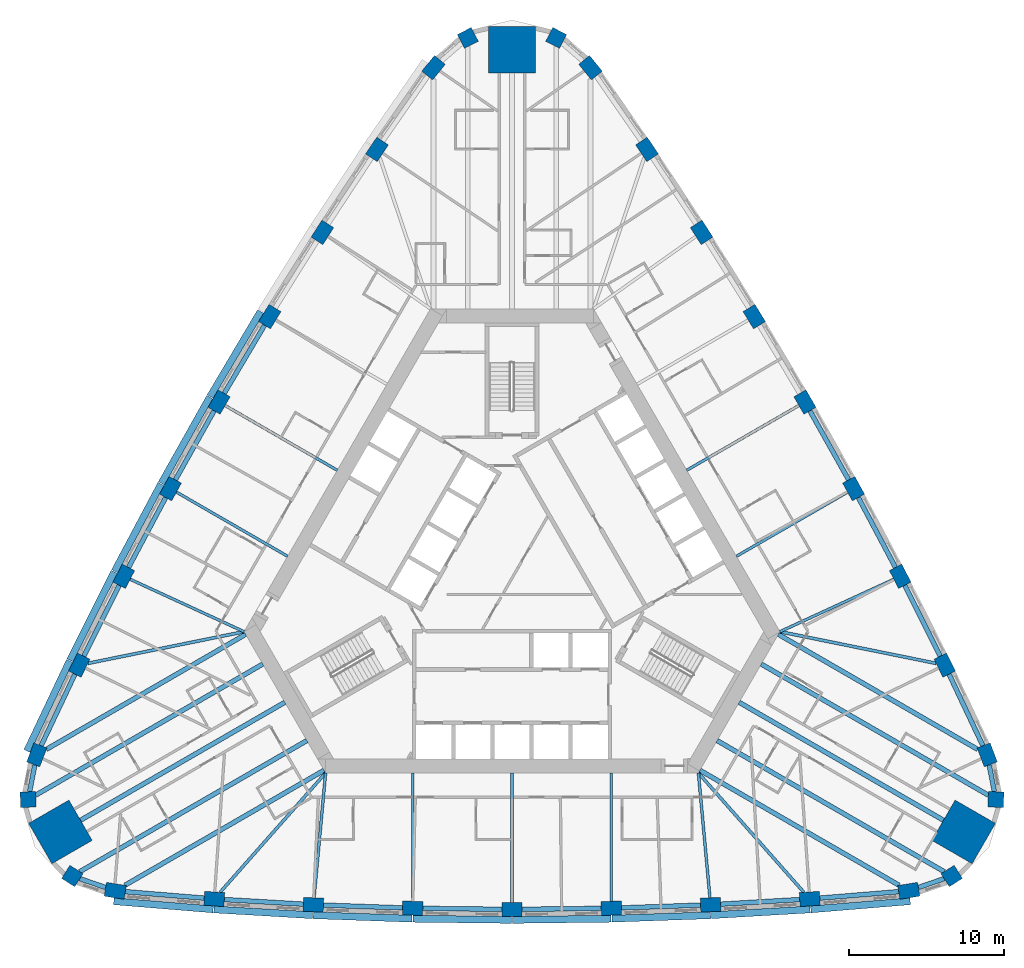
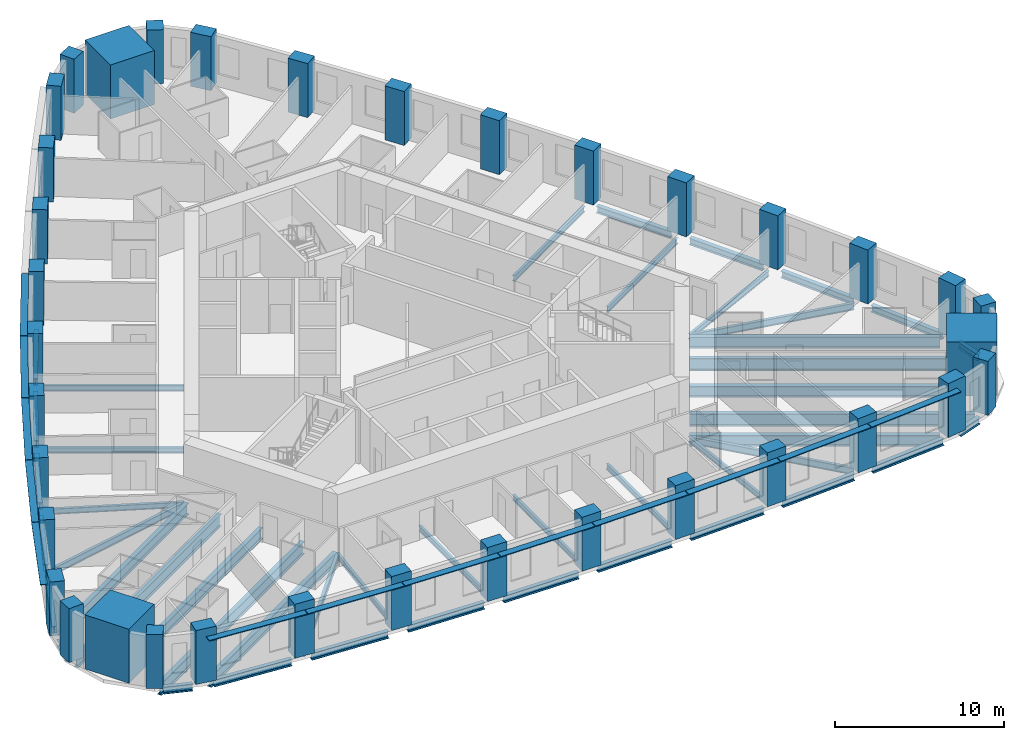
# One storey, part 1 of 13: 46 beams, 36 columns, 13 members.
"""IFC4 building model written with IfcOpenShell, lengths in metres."""

import ifcopenshell
import ifcopenshell.guid

model = None  # the IFC model being written
_history = None  # IfcOwnerHistory: only IFC2X3 demands one
_inside = {}  # id of a spatial element -> (the spatial element, [elements in it])
_under = {}  # id of a project, library or spatial element -> (it, [spatial elements below it])
_declared = {}  # id of a project -> (the project, [libraries it declares])
_typed = {}  # id of a type object -> (the type object, [elements of that type])
_made_of = {}  # id of a material, layer set ... -> (it, [elements and type objects made of it])


def new_model(schema):
    """Start an empty IFC model of exactly this schema.

    Asked for "IFC4X3", IfcOpenShell would pick the latest addendum, in which some entities
    have other attributes; the version numbers below select the first issue.
    IFC2X3 requires an IfcOwnerHistory on every rooted entity: one is made here for all.
    """
    global model, _history
    if schema == "IFC4X3":
        model = ifcopenshell.file(schema_version=(4, 3, 0, 0))
    else:
        model = ifcopenshell.file(schema=schema)
    _inside.clear()
    _under.clear()
    _declared.clear()
    _typed.clear()
    _made_of.clear()
    _history = None
    if model.schema == "IFC2X3":
        org = make("IfcOrganization", Name="unknown")
        user = make(
            "IfcPersonAndOrganization",
            ThePerson=make("IfcPerson", FamilyName="unknown"),
            TheOrganization=org,
        )
        app = make(
            "IfcApplication",
            ApplicationDeveloper=org,
            Version="unknown",
            ApplicationFullName="unknown",
            ApplicationIdentifier="unknown",
        )
        _history = make(
            "IfcOwnerHistory",
            OwningUser=user,
            OwningApplication=app,
            ChangeAction="ADDED",
            CreationDate=0,
        )
    return model


def make(cls, **values):
    """One entity of the class cls with the attributes given. An attribute that is None is left unset."""
    return model.create_entity(
        cls, **{name: value for name, value in values.items() if value is not None}
    )


def rooted(cls, **values):
    """An entity with a GlobalId (a new one), such as an element, a storey or a relation."""
    return make(cls, GlobalId=ifcopenshell.guid.new(), OwnerHistory=_history, **values)


def si_unit(unit_type, name, prefix=None):
    """IfcSIUnit, for example si_unit("LENGTHUNIT", "METRE", prefix="MILLI")."""
    return make("IfcSIUnit", UnitType=unit_type, Prefix=prefix, Name=name)


def assignment(units):
    """IfcUnitAssignment: the units of a project."""
    return None if units is None else make("IfcUnitAssignment", Units=units)


def point(xyz):
    """IfcCartesianPoint."""
    return None if xyz is None else make("IfcCartesianPoint", Coordinates=xyz)


def direction(xyz):
    """IfcDirection."""
    return None if xyz is None else make("IfcDirection", DirectionRatios=xyz)


def frame(location, z_axis=None, x_axis=None):
    """IfcAxis2Placement3D, a coordinate frame: its origin and axes. An axis left out is left unset."""
    return make(
        "IfcAxis2Placement3D",
        Location=point(location),
        Axis=direction(z_axis),
        RefDirection=direction(x_axis),
    )


def frame_2d(location, x_axis=None):
    """IfcAxis2Placement2D, a coordinate frame in the plane: its origin and x axis."""
    return make(
        "IfcAxis2Placement2D", Location=point(location), RefDirection=direction(x_axis)
    )


def origin():
    """The frame at (0, 0, 0) with its axes left unset."""
    return frame((0.0, 0.0, 0.0))


def origin_2d():
    """The frame at (0, 0) in the plane with its x axis left unset."""
    return frame_2d((0.0, 0.0))


def place(relative_to, where):
    """IfcLocalPlacement: puts the frame where relative to a parent placement (None: the world)."""
    return make(
        "IfcLocalPlacement", PlacementRelTo=relative_to, RelativePlacement=where
    )


def context(
    kind, dimensions, precision=None, world=None, true_north=None, identifier=None
):
    """IfcGeometricRepresentationContext, for example the 3D "Model" context."""
    return make(
        "IfcGeometricRepresentationContext",
        ContextIdentifier=identifier,
        ContextType=kind,
        CoordinateSpaceDimension=dimensions,
        Precision=precision,
        WorldCoordinateSystem=world,
        TrueNorth=true_north,
    )


def subcontext(parent, identifier, kind, view, scale=None):
    """IfcGeometricRepresentationSubContext, for example "Body" below "Model"."""
    return make(
        "IfcGeometricRepresentationSubContext",
        ContextIdentifier=identifier,
        ContextType=kind,
        ParentContext=parent,
        TargetScale=scale,
        TargetView=view,
    )


def project(units=None, contexts=None):
    """IfcProject with its units and contexts."""
    return rooted(
        "IfcProject",
        Name="project",
        RepresentationContexts=contexts,
        UnitsInContext=assignment(units),
    )


def spatial(cls, under=None, at=None, **own):
    """A site, building, storey or space (cls), placed at a placement, below another one or the project."""
    s = rooted(cls, ObjectPlacement=at, **own)
    if under is not None:
        _under.setdefault(under.id(), (under, []))[1].append(s)
    return s


def profile(cls, at=None, kind="AREA", **sizes):
    """A parametric profile (cls). Its sizes go by their IFC names, for example OverallWidth=200.0."""
    return make(cls, ProfileType=kind, Position=at, **sizes)


def rectangle(**sizes):
    """IfcRectangleProfileDef."""
    return profile("IfcRectangleProfileDef", **sizes)


def i_section(**sizes):
    """IfcIShapeProfileDef."""
    return profile("IfcIShapeProfileDef", **sizes)


def extrude(swept, where, along, depth):
    """IfcExtrudedAreaSolid: the profile swept, set in the frame where, extruded along a direction by depth."""
    return make(
        "IfcExtrudedAreaSolid",
        SweptArea=swept,
        Position=where,
        ExtrudedDirection=direction(along),
        Depth=depth,
    )


def shape(context_of_items, identifier, shape_type, items):
    """IfcShapeRepresentation: the items that make up one representation, for example the "Body"."""
    return make(
        "IfcShapeRepresentation",
        ContextOfItems=context_of_items,
        RepresentationIdentifier=identifier,
        RepresentationType=shape_type,
        Items=items,
    )


def material(Name=None, Category=None):
    """IfcMaterial."""
    return make("IfcMaterial", Name=Name, Category=Category)


def material_profile(
    of_material, cross_section, Name=None, Category=None, Priority=None
):
    """IfcMaterialProfile: a cross section and its material."""
    return make(
        "IfcMaterialProfile",
        Name=Name,
        Material=of_material,
        Profile=cross_section,
        Priority=Priority,
        Category=Category,
    )


def profile_set(profiles, Name=None, composite=None):
    """IfcMaterialProfileSet."""
    return make(
        "IfcMaterialProfileSet",
        Name=Name,
        MaterialProfiles=profiles,
        CompositeProfile=composite,
    )


def made_of(thing, what):
    """Note that an element or type object is made of a material, layer set ...; save() writes the relation."""
    if what is not None:
        _made_of.setdefault(what.id(), (what, []))[1].append(thing)
    return thing


def type_object(cls, material=None, **own):
    """A type object (cls), such as IfcWallType, which elements share."""
    return made_of(rooted(cls, **own), material)


def element(
    cls,
    number,
    at=None,
    inside=None,
    cuts=None,
    type_object=None,
    material=None,
    context=None,
    identifier="Body",
    shape_type=None,
    held_by="IfcProductDefinitionShape",
    body=None,
    shapes=None,
    **own,
):
    """One element of the class cls, such as IfcWall. Its Tag is "e" and its number.

    at: its placement. inside: the storey or other place that contains it. cuts: it is an
    opening in that element (IfcRelVoidsElement). A single representation is given by context,
    identifier, shape_type and body (its items); several are given by shapes. held_by: the class
    of the entity that holds the representations. save() writes the other relations.
    """
    e = rooted(cls, Tag="e%d" % number, ObjectPlacement=at, **own)
    if body is not None:
        shapes = [shape(context, identifier, shape_type, body)]
    if shapes is not None:
        e.Representation = make(held_by, Representations=shapes)
    if inside is not None:
        _inside.setdefault(inside.id(), (inside, []))[1].append(e)
    if cuts is not None:
        rooted(
            "IfcRelVoidsElement", RelatingBuildingElement=cuts, RelatedOpeningElement=e
        )
    if type_object is not None:
        _typed.setdefault(type_object.id(), (type_object, []))[1].append(e)
    return made_of(e, material)


def aggregate(whole, parts):
    """IfcRelAggregates: a whole, such as a stair, and the parts it consists of."""
    return rooted("IfcRelAggregates", RelatingObject=whole, RelatedObjects=parts)


def save(model, path):
    """Write the relations noted so far, then the file.

    IfcRelAggregates (storeys below a building ...), IfcRelContainedInSpatialStructure (elements
    in a storey), IfcRelDefinesByType, IfcRelAssociatesMaterial and IfcRelDeclares: one each for
    every whole, place, type object, material and project.
    """
    for whole, parts in _under.values():
        aggregate(whole, parts)
    for where, things in _inside.values():
        rooted(
            "IfcRelContainedInSpatialStructure",
            RelatedElements=things,
            RelatingStructure=where,
        )
    for kind, things in _typed.values():
        rooted("IfcRelDefinesByType", RelatedObjects=things, RelatingType=kind)
    for what, things in _made_of.values():
        rooted("IfcRelAssociatesMaterial", RelatedObjects=things, RelatingMaterial=what)
    for by, libraries in _declared.values():
        rooted("IfcRelDeclares", RelatingContext=by, RelatedDefinitions=libraries)
    model.write(path)


model = new_model("IFC4")

# Units and contexts
model_context = context("Model", 3, precision=1e-05, world=origin(), true_north=direction((0.0, 1.0)))
body_context = subcontext(model_context, "Body", "Model", "MODEL_VIEW")
ifc_project = project(units=[si_unit("LENGTHUNIT", "METRE"), si_unit("AREAUNIT", "SQUARE_METRE"), si_unit("VOLUMEUNIT", "CUBIC_METRE"), si_unit("PLANEANGLEUNIT", "RADIAN"), si_unit("MASSUNIT", "GRAM", prefix="KILO")], contexts=[model_context])

# Site, building, storey
site_placement = place(None, origin())
site = spatial("IfcSite", under=ifc_project, at=site_placement, CompositionType="ELEMENT")
building_placement = place(site_placement, origin())
building = spatial("IfcBuilding", under=site, at=building_placement, Name="Mestral Congress Tower", CompositionType="ELEMENT")
storey_placement = place(building_placement, frame((0.0, 0.0, 91.5)))
storey = spatial("IfcBuildingStorey", under=building, at=storey_placement, Name="L21", CompositionType="ELEMENT", Elevation=91.5)

# Columns
ifc_material_1 = material(Name="Concrete C70/85", Category="concrete")
ifc_material_profile_1 = material_profile(ifc_material_1, rectangle(XDim=1.0, YDim=1.0, at=origin_2d()), Name="RC 1000x1000")
ifc_profile_set_1 = profile_set([ifc_material_profile_1], Name="Concrete C70/85")
column_type_1 = type_object("IfcColumnType", Name="Column RC 1000x1000 C70/85", PredefinedType="COLUMN", material=ifc_profile_set_1)
for number, where, z_axis, x_axis, name in (
    (1, (28.331298828125, -19.642822265625, 0.0), (0.0, 0.0, 1.0), (0.841700252504, 0.53994507585, 0.0), "COL-L21-C2-SE1"),
    (2, (31.1767578125, -14.714111328125, 0.0), (0.0, 0.0, 1.0), (0.046756026083, 0.998906338965, 0.0), "COL-L21-C2-SE3"),
    (3, (2.845703125, 34.35693359375, 0.0), (0.0, 0.0, 1.0), (-0.888456278587, 0.458961263115, 0.0), "COL-L21-C2-N1"),
    (4, (-2.845703125, 34.35693359375, 0.0), (0.0, 0.0, 1.0), (-0.888456278587, -0.458961263115, 0.0), "COL-L21-C2-N3"),
    (5, (-31.1767578125, -14.714111328125, 0.0), (0.0, 0.0, 1.0), (0.046756026083, -0.998906338965, 0.0), "COL-L21-C2-SW1"),
    (6, (-28.331298828125, -19.642822265625, 0.0), (0.0, 0.0, 1.0), (0.841700252504, -0.53994507585, 0.0), "COL-L21-C2-SW3"),
):
    element("IfcColumn", number, at=place(storey_placement, frame(where, z_axis=z_axis, x_axis=x_axis)), inside=storey, type_object=column_type_1, Name=name, PredefinedType="COLUMN", context=body_context, shape_type="SweptSolid", body=[
        extrude(rectangle(XDim=1.0, YDim=1.0, at=origin_2d()), origin(), (0.0, 0.0, 1.0), 3.89990234375),
    ])
ifc_material_profile_2 = material_profile(ifc_material_1, rectangle(XDim=1.300048828125, YDim=0.89990234375, at=origin_2d()), Name="RC 1300x900")
ifc_profile_set_2 = profile_set([ifc_material_profile_2], Name="Concrete C70/85")
column_type_2 = type_object("IfcColumnType", Name="Column RC 1300x900 C70/85", PredefinedType="COLUMN", material=ifc_profile_set_2)
for number, where, z_axis, x_axis, name in (
    (7, (-25.562744140625, -20.59716796875, 0.0), (0.0, 0.0, 1.0), (0.987202314361, -0.159472851987, 0.0), "COL-L21-C2-S00"),
    (8, (-19.184326171875, -21.120361328125, 0.0), (0.0, 0.0, 1.0), (0.997539884588, -0.07010120296, 0.0), "COL-L21-C2-S01"),
    (9, (-12.79541015625, -21.494384765625, 0.0), (0.0, 0.0, 1.0), (0.998906338965, -0.046756026083, 0.0), "COL-L21-C2-S02"),
    (10, (-6.3994140625, -21.71875, 0.0), (0.0, 0.0, 1.0), (0.99972656776, -0.023383535144, 0.0), "COL-L21-C2-S03"),
    (11, (0.0, -21.793701171875, 0.0), (0.0, 0.0, 1.0), (1.0, 0.0, 0.0), "COL-L21-C2-S04"),
    (12, (6.3994140625, -21.71875, 0.0), (0.0, 0.0, 1.0), (0.99972656776, 0.023383535144, 0.0), "COL-L21-C2-S05"),
    (13, (12.79541015625, -21.494384765625, 0.0), (0.0, 0.0, 1.0), (0.998906338965, 0.046756026083, 0.0), "COL-L21-C2-S06"),
    (14, (19.184326171875, -21.120361328125, 0.0), (0.0, 0.0, 1.0), (0.997539884588, 0.07010120296, 0.0), "COL-L21-C2-S07"),
    (15, (25.562744140625, -20.59716796875, 0.0), (0.0, 0.0, 1.0), (0.987202314361, 0.159472851987, 0.0), "COL-L21-C2-S08"),
    (16, (30.618896484375, -11.83935546875, 0.0), (0.0, 0.0, 1.0), (-0.355493616145, 0.934678708905, 0.0), "COL-L21-C2-E00"),
    (17, (27.8828125, -6.0537109375, 0.0), (0.0, 0.0, 1.0), (-0.438060519695, 0.898945482821, 0.0), "COL-L21-C2-E01"),
    (18, (25.01220703125, -0.333984375, 0.0), (0.0, 0.0, 1.0), (-0.458961263115, 0.888456278587, 0.0), "COL-L21-C2-E02"),
    (19, (22.0087890625, 5.3173828125, 0.0), (0.0, 0.0, 1.0), (-0.479612548415, 0.87748037209, 0.0), "COL-L21-C2-E03"),
    (20, (18.873779296875, 10.896728515625, 0.0), (0.0, 0.0, 1.0), (-0.5, 0.866025403784, 0.0), "COL-L21-C2-E04"),
    (21, (15.609375, 16.401611328125, 0.0), (0.0, 0.0, 1.0), (-0.520114019344, 0.854096836946, 0.0), "COL-L21-C2-E05"),
    (22, (12.217041015625, 21.828369140625, 0.0), (0.0, 0.0, 1.0), (-0.53994507585, 0.841700252504, 0.0), "COL-L21-C2-E06"),
    (23, (8.69873046875, 27.17431640625, 0.0), (0.0, 0.0, 1.0), (-0.559479364893, 0.828844279861, 0.0), "COL-L21-C2-E07"),
    (24, (5.056396484375, 32.4365234375, 0.0), (0.0, 0.0, 1.0), (-0.631708698215, 0.775205856918, 0.0), "COL-L21-C2-E08"),
    (25, (-5.056396484375, 32.4365234375, 0.0), (0.0, 0.0, 1.0), (-0.631708698215, -0.775205856918, 0.0), "COL-L21-C2-W00"),
    (26, (-8.69873046875, 27.17431640625, 0.0), (0.0, 0.0, 1.0), (-0.559479364893, -0.828844279861, 0.0), "COL-L21-C2-W01"),
    (27, (-12.217041015625, 21.828369140625, 0.0), (0.0, 0.0, 1.0), (-0.53994507585, -0.841700252504, 0.0), "COL-L21-C2-W02"),
    (28, (-15.609375, 16.401611328125, 0.0), (0.0, 0.0, 1.0), (-0.520114019344, -0.854096836946, 0.0), "COL-L21-C2-W03"),
    (29, (-18.873779296875, 10.896728515625, 0.0), (0.0, 0.0, 1.0), (-0.5, -0.866025403784, 0.0), "COL-L21-C2-W04"),
    (30, (-22.0087890625, 5.3173828125, 0.0), (0.0, 0.0, 1.0), (-0.479612548415, -0.87748037209, 0.0), "COL-L21-C2-W05"),
    (31, (-25.01220703125, -0.333984375, 0.0), (0.0, 0.0, 1.0), (-0.458961263115, -0.888456278587, 0.0), "COL-L21-C2-W06"),
    (32, (-27.8828125, -6.0537109375, 0.0), (0.0, 0.0, 1.0), (-0.438060519695, -0.898945482821, 0.0), "COL-L21-C2-W07"),
    (33, (-30.618896484375, -11.83935546875, 0.0), (0.0, 0.0, 1.0), (-0.355493616145, -0.934678708905, 0.0), "COL-L21-C2-W08"),
):
    element("IfcColumn", number, at=place(storey_placement, frame(where, z_axis=z_axis, x_axis=x_axis)), inside=storey, type_object=column_type_2, Name=name, PredefinedType="COLUMN", context=body_context, shape_type="SweptSolid", body=[
        extrude(rectangle(XDim=1.300048828125, YDim=0.89990234375, at=origin_2d()), origin(), (0.0, 0.0, 1.0), 3.89990234375),
    ])
ifc_material_2 = material(Name="Concrete C80/95", Category="concrete")
ifc_material_profile_3 = material_profile(ifc_material_2, rectangle(XDim=3.0, YDim=3.0, at=origin_2d()), Name="RC 3000x3000")
ifc_profile_set_3 = profile_set([ifc_material_profile_3], Name="Concrete C80/95")
column_type_3 = type_object("IfcColumnType", Name="Mega column RC 3000x3000 C80/95", PredefinedType="COLUMN", material=ifc_profile_set_3)
for number, where, z_axis, x_axis, name in (
    (34, (29.09716796875, -16.79931640625, 0.0), (0.0, 0.0, 1.0), (0.866025403784, -0.5, 0.0), "COL-L21-PY2-SE"),
    (35, (0.0, 33.598388671875, 0.0), (0.0, 0.0, 1.0), (0.0, 1.0, 0.0), "COL-L21-PY2-N"),
    (36, (-29.09716796875, -16.79931640625, 0.0), (0.0, 0.0, 1.0), (-0.866025403784, -0.5, 0.0), "COL-L21-PY2-SW"),
):
    element("IfcColumn", number, at=place(storey_placement, frame(where, z_axis=z_axis, x_axis=x_axis)), inside=storey, type_object=column_type_3, Name=name, PredefinedType="COLUMN", context=body_context, shape_type="SweptSolid", body=[
        extrude(rectangle(XDim=3.0, YDim=3.0, at=origin_2d()), origin(), (0.0, 0.0, 1.0), 3.89990234375),
    ])

# Members
ifc_material_3 = material(Name="Glazed ceramic", Category="masonry")
ifc_material_profile_4 = material_profile(ifc_material_3, rectangle(XDim=0.449951171875, YDim=0.06005859375, at=origin_2d()), Name="Ceramic blade 450 x 60")
ifc_profile_set_4 = profile_set([ifc_material_profile_4], Name="Glazed ceramic")
member_type = type_object("IfcMemberType", Name="Facade sunshade blade 450 x 60", PredefinedType="USERDEFINED", material=ifc_profile_set_4)
member_1_placement = place(storey_placement, frame((-25.654296875, -21.266845703125, 3.280029296875), z_axis=(0.996650616323, -0.081777435656, 0.0), x_axis=(0.081777435656, 0.996650616323, 0.0)))
element("IfcMember", 37, at=member_1_placement, inside=storey, type_object=member_type, Name="Sunshade F0-00", ObjectType="SUNSHADE", PredefinedType="USERDEFINED", context=body_context, shape_type="SweptSolid", body=[
    extrude(rectangle(XDim=0.449951171875, YDim=0.06005859375, at=origin_2d()), origin(), (0.0, 0.0, 1.0), 6.421630859375),
])
for number, where, z_axis, x_axis, name in (
    (38, (-19.208984375, -21.795166015625, 3.280029296875), (0.998292825409, -0.05840748871, 0.0), (0.05840748871, 0.998292825409, 0.0), "Sunshade F0-01"),
    (39, (-12.80419921875, -22.16943359375, 3.280029296875), (0.999384970229, -0.035066811664, 0.0), (0.035066811664, 0.999384970229, 0.0), "Sunshade F0-02"),
    (40, (-6.392578125, -22.393798828125, 3.280029296875), (0.999931231966, -0.011727375608, 0.0), (0.011727375608, 0.999931231966, 0.0), "Sunshade F0-03"),
    (41, (0.022705078125, -22.468505859375, 3.280029296875), (0.999931231966, 0.011727375608, 0.0), (-0.011727375608, 0.999931231966, 0.0), "Sunshade F0-04"),
    (42, (6.437744140625, -22.392822265625, 3.280029296875), (0.999384970229, 0.035066811664, 0.0), (-0.035066811664, 0.999384970229, 0.0), "Sunshade F0-05"),
    (43, (12.849609375, -22.167236328125, 3.280029296875), (0.998292825409, 0.05840748871, 0.0), (-0.05840748871, 0.998292825409, 0.0), "Sunshade F0-06"),
):
    element("IfcMember", number, at=place(storey_placement, frame(where, z_axis=z_axis, x_axis=x_axis)), inside=storey, type_object=member_type, Name=name, ObjectType="SUNSHADE", PredefinedType="USERDEFINED", context=body_context, shape_type="SweptSolid", body=[
        extrude(rectangle(XDim=0.449951171875, YDim=0.06005859375, at=origin_2d()), origin(), (0.0, 0.0, 1.0), 6.370361328125),
    ])
member_2_placement = place(storey_placement, frame((19.254150390625, -21.7919921875, 3.280029296875), z_axis=(0.996650616323, 0.081777435656, 0.0), x_axis=(-0.081777435656, 0.996650616323, 0.0)))
element("IfcMember", 44, at=member_2_placement, inside=storey, type_object=member_type, Name="Sunshade F0-07", ObjectType="SUNSHADE", PredefinedType="USERDEFINED", context=body_context, shape_type="SweptSolid", body=[
    extrude(rectangle(XDim=0.449951171875, YDim=0.06005859375, at=origin_2d()), origin(), (0.0, 0.0, 1.0), 6.421630859375),
])
for number, where, z_axis, x_axis, name in (
    (45, (-16.197509765625, 16.733154296875, 3.280029296875), (-0.510098606231, -0.86011592935, 0.0), (0.86011592935, -0.510098606231, 0.0), "Sunshade F2-03"),
    (46, (-19.469482421875, 11.214599609375, 3.280029296875), (-0.489860886888, -0.871800614531, 0.0), (0.871800614531, -0.489860886888, 0.0), "Sunshade F2-04"),
    (47, (-22.61181640625, 5.62109375, 3.280029296875), (-0.469318672425, -0.883028869128, 0.0), (0.883028869128, -0.469318672425, 0.0), "Sunshade F2-05"),
):
    element("IfcMember", number, at=place(storey_placement, frame(where, z_axis=z_axis, x_axis=x_axis)), inside=storey, type_object=member_type, Name=name, ObjectType="SUNSHADE", PredefinedType="USERDEFINED", context=body_context, shape_type="SweptSolid", body=[
        extrude(rectangle(XDim=0.449951171875, YDim=0.06005859375, at=origin_2d()), origin(), (0.0, 0.0, 1.0), 6.370361328125),
    ])
member_3_placement = place(storey_placement, frame((-25.622314453125, -0.04443359375, 3.280029296875), z_axis=(-0.448531530965, -0.893767008638, 0.0), x_axis=(0.893767008638, -0.448531530965, 0.0)))
element("IfcMember", 48, at=member_3_placement, inside=storey, type_object=member_type, Name="Sunshade F2-06", ObjectType="SUNSHADE", PredefinedType="USERDEFINED", context=body_context, shape_type="SweptSolid", body=[
    extrude(rectangle(XDim=0.449951171875, YDim=0.06005859375, at=origin_2d()), origin(), (0.0, 0.0, 1.0), 6.3701171875),
])
member_4_placement = place(storey_placement, frame((-28.49951171875, -5.778564453125, 3.280029296875), z_axis=(-0.427519164001, -0.904006285604, 0.0), x_axis=(0.904006285604, -0.427519164001, 0.0)))
element("IfcMember", 49, at=member_4_placement, inside=storey, type_object=member_type, Name="Sunshade F2-07", ObjectType="SUNSHADE", PredefinedType="USERDEFINED", context=body_context, shape_type="SweptSolid", body=[
    extrude(rectangle(XDim=0.449951171875, YDim=0.06005859375, at=origin_2d()), origin(), (0.0, 0.0, 1.0), 6.421630859375),
])

# Beams
ifc_material_4 = material(Name="Steel S355", Category="steel")
ifc_material_profile_5 = material_profile(ifc_material_4, i_section(OverallWidth=0.300048828125, OverallDepth=0.800048828125, WebThickness=0.017578125, FlangeThickness=0.032958984375, FilletRadius=0.030029296875, at=origin_2d()), Name="HEB 800")
ifc_profile_set_5 = profile_set([ifc_material_profile_5], Name="Steel S355")
beam_type_1 = type_object("IfcBeamType", Name="Floor beam HEB 800 S355", PredefinedType="BEAM", material=ifc_profile_set_5)
for number, where, z_axis, x_axis, name in (
    (50, (-24.94580078125, -20.240966796875, -0.64990234375), (0.866025146382, 0.500000445834, 0.0), (-0.500000445834, 0.866025146382, 0.0), "BM-L21-RB2-S00"),
    (51, (24.94580078125, -20.240966796875, -0.64990234375), (-0.866025146382, 0.500000445834, 0.0), (-0.500000445834, -0.866025146382, 0.0), "BM-L21-RB2-S08"),
):
    element("IfcBeam", number, at=place(storey_placement, frame(where, z_axis=z_axis, x_axis=x_axis)), inside=storey, type_object=beam_type_1, Name=name, PredefinedType="BEAM", context=body_context, shape_type="SweptSolid", body=[
        extrude(i_section(OverallWidth=0.300048828125, OverallDepth=0.800048828125, WebThickness=0.017578125, FlangeThickness=0.032958984375, FilletRadius=0.030029296875, at=origin_2d()), origin(), (0.0, 0.0, 1.0), 14.82421875),
    ])
beam_1_placement = place(storey_placement, frame((27.798095703125, -16.04931640625, -0.64990234375), z_axis=(-0.866023213189, 0.500003794204, 0.0), x_axis=(-0.500003794204, -0.866023213189, 0.0)))
element("IfcBeam", 52, at=beam_1_placement, inside=storey, type_object=beam_type_1, Name="BM-L21-RB2-SE", PredefinedType="BEAM", context=body_context, shape_type="SweptSolid", body=[
    extrude(i_section(OverallWidth=0.300048828125, OverallDepth=0.800048828125, WebThickness=0.017578125, FlangeThickness=0.032958984375, FilletRadius=0.030029296875, at=origin_2d()), origin(), (0.0, 0.0, 1.0), 15.19873046875),
])
for number, where, z_axis, x_axis, name in (
    (53, (30.002197265625, -11.483154296875, -0.64990234375), (-0.866025146382, 0.500000445834, 0.0), (-0.500000445834, -0.866025146382, 0.0), "BM-L21-RB2-E00"),
    (54, (-30.002197265625, -11.483154296875, -0.64990234375), (0.866025146382, 0.500000445834, 0.0), (-0.500000445834, 0.866025146382, 0.0), "BM-L21-RB2-W08"),
):
    element("IfcBeam", number, at=place(storey_placement, frame(where, z_axis=z_axis, x_axis=x_axis)), inside=storey, type_object=beam_type_1, Name=name, PredefinedType="BEAM", context=body_context, shape_type="SweptSolid", body=[
        extrude(i_section(OverallWidth=0.300048828125, OverallDepth=0.800048828125, WebThickness=0.017578125, FlangeThickness=0.032958984375, FilletRadius=0.030029296875, at=origin_2d()), origin(), (0.0, 0.0, 1.0), 14.82421875),
    ])
beam_2_placement = place(storey_placement, frame((-27.798095703125, -16.04931640625, -0.64990234375), z_axis=(0.866023213189, 0.500003794204, 0.0), x_axis=(-0.500003794204, 0.866023213189, 0.0)))
element("IfcBeam", 55, at=beam_2_placement, inside=storey, type_object=beam_type_1, Name="BM-L21-RB2-SW", PredefinedType="BEAM", context=body_context, shape_type="SweptSolid", body=[
    extrude(i_section(OverallWidth=0.300048828125, OverallDepth=0.800048828125, WebThickness=0.017578125, FlangeThickness=0.032958984375, FilletRadius=0.030029296875, at=origin_2d()), origin(), (0.0, 0.0, 1.0), 15.19873046875),
])
ifc_material_profile_6 = material_profile(ifc_material_4, i_section(OverallWidth=0.300048828125, OverallDepth=0.89990234375, WebThickness=0.0185546875, FlangeThickness=0.034912109375, FilletRadius=0.030029296875, at=origin_2d()), Name="HEB 900")
ifc_profile_set_6 = profile_set([ifc_material_profile_6], Name="Steel S355")
beam_type_2 = type_object("IfcBeamType", Name="Floor beam HEB 900 S355", PredefinedType="BEAM", material=ifc_profile_set_6)
beam_3_placement = place(storey_placement, frame((27.84375, -19.361328125, -0.699951171875), z_axis=(-0.866024587677, 0.500001413537, 0.0), x_axis=(-0.500001413537, -0.866024587677, 0.0)))
element("IfcBeam", 56, at=beam_3_placement, inside=storey, type_object=beam_type_2, Name="BM-L21-RB2-SE1", PredefinedType="BEAM", context=body_context, shape_type="SweptSolid", body=[
    extrude(i_section(OverallWidth=0.300048828125, OverallDepth=0.89990234375, WebThickness=0.0185546875, FlangeThickness=0.034912109375, FilletRadius=0.030029296875, at=origin_2d()), origin(), (0.0, 0.0, 1.0), 16.89404296875),
])
for number, where, z_axis, x_axis, name in (
    (57, (30.689453125, -14.4326171875, -0.699951171875), (-0.866028200461, 0.499995155983, 0.0), (-0.499995155983, -0.866028200461, 0.0), "BM-L21-RB2-SE3"),
    (58, (-30.689453125, -14.4326171875, -0.699951171875), (0.866028200461, 0.499995155983, 0.0), (-0.499995155983, 0.866028200461, 0.0), "BM-L21-RB2-SW1"),
):
    element("IfcBeam", number, at=place(storey_placement, frame(where, z_axis=z_axis, x_axis=x_axis)), inside=storey, type_object=beam_type_2, Name=name, PredefinedType="BEAM", context=body_context, shape_type="SweptSolid", body=[
        extrude(i_section(OverallWidth=0.300048828125, OverallDepth=0.89990234375, WebThickness=0.0185546875, FlangeThickness=0.034912109375, FilletRadius=0.030029296875, at=origin_2d()), origin(), (0.0, 0.0, 1.0), 16.894287109375),
    ])
beam_4_placement = place(storey_placement, frame((-27.84375, -19.361328125, -0.699951171875), z_axis=(0.866024587677, 0.500001413537, 0.0), x_axis=(-0.500001413537, 0.866024587677, 0.0)))
element("IfcBeam", 59, at=beam_4_placement, inside=storey, type_object=beam_type_2, Name="BM-L21-RB2-SW3", PredefinedType="BEAM", context=body_context, shape_type="SweptSolid", body=[
    extrude(i_section(OverallWidth=0.300048828125, OverallDepth=0.89990234375, WebThickness=0.0185546875, FlangeThickness=0.034912109375, FilletRadius=0.030029296875, at=origin_2d()), origin(), (0.0, 0.0, 1.0), 16.89404296875),
])
ifc_material_profile_7 = material_profile(ifc_material_4, i_section(OverallWidth=0.179931640625, OverallDepth=0.39990234375, WebThickness=0.008544921875, FlangeThickness=0.013427734375, FilletRadius=0.02099609375, at=origin_2d()), Name="IPE 400")
ifc_profile_set_7 = profile_set([ifc_material_profile_7], Name="Steel S355")
beam_type_3 = type_object("IfcBeamType", Name="Floor beam IPE 400 S355", PredefinedType="BEAM", material=ifc_profile_set_7)
beam_5_placement = place(storey_placement, frame((-12.753662109375, -21.0458984375, -0.449951171875), z_axis=(0.092183786594, 0.995742009503, 0.0), x_axis=(-0.995742009503, 0.092183786594, 0.0)))
element("IfcBeam", 60, at=beam_5_placement, inside=storey, type_object=beam_type_3, Name="BM-L21-RB2-S02", PredefinedType="BEAM", context=body_context, shape_type="SweptSolid", body=[
    extrude(i_section(OverallWidth=0.179931640625, OverallDepth=0.39990234375, WebThickness=0.008544921875, FlangeThickness=0.013427734375, FilletRadius=0.02099609375, at=origin_2d()), origin(), (0.0, 0.0, 1.0), 8.080322265625),
])
beam_6_placement = place(storey_placement, frame((-6.3994140625, -21.268798828125, -0.449951171875), z_axis=(0.0, 1.0, 0.0), x_axis=(-1.0, 0.0, 0.0)))
element("IfcBeam", 61, at=beam_6_placement, inside=storey, type_object=beam_type_3, Name="BM-L21-RB2-S03", PredefinedType="BEAM", context=body_context, shape_type="SweptSolid", body=[
    extrude(i_section(OverallWidth=0.179931640625, OverallDepth=0.39990234375, WebThickness=0.008544921875, FlangeThickness=0.013427734375, FilletRadius=0.02099609375, at=origin_2d()), origin(), (0.0, 0.0, 1.0), 8.268798828125),
])
beam_7_placement = place(storey_placement, frame((0.0, -21.343505859375, -0.449951171875), z_axis=(0.0, 1.0, 0.0), x_axis=(-1.0, 0.0, 0.0)))
element("IfcBeam", 62, at=beam_7_placement, inside=storey, type_object=beam_type_3, Name="BM-L21-RB2-S04", PredefinedType="BEAM", context=body_context, shape_type="SweptSolid", body=[
    extrude(i_section(OverallWidth=0.179931640625, OverallDepth=0.39990234375, WebThickness=0.008544921875, FlangeThickness=0.013427734375, FilletRadius=0.02099609375, at=origin_2d()), origin(), (0.0, 0.0, 1.0), 8.343505859375),
])
beam_8_placement = place(storey_placement, frame((6.3994140625, -21.268798828125, -0.449951171875), z_axis=(0.0, 1.0, 0.0), x_axis=(-1.0, 0.0, 0.0)))
element("IfcBeam", 63, at=beam_8_placement, inside=storey, type_object=beam_type_3, Name="BM-L21-RB2-S05", PredefinedType="BEAM", context=body_context, shape_type="SweptSolid", body=[
    extrude(i_section(OverallWidth=0.179931640625, OverallDepth=0.39990234375, WebThickness=0.008544921875, FlangeThickness=0.013427734375, FilletRadius=0.02099609375, at=origin_2d()), origin(), (0.0, 0.0, 1.0), 8.268798828125),
])
beam_9_placement = place(storey_placement, frame((12.753662109375, -21.0458984375, -0.449951171875), z_axis=(-0.092183786594, 0.995742009503, 0.0), x_axis=(-0.995742009503, -0.092183786594, 0.0)))
element("IfcBeam", 64, at=beam_9_placement, inside=storey, type_object=beam_type_3, Name="BM-L21-RB2-S06", PredefinedType="BEAM", context=body_context, shape_type="SweptSolid", body=[
    extrude(i_section(OverallWidth=0.179931640625, OverallDepth=0.39990234375, WebThickness=0.008544921875, FlangeThickness=0.013427734375, FilletRadius=0.02099609375, at=origin_2d()), origin(), (0.0, 0.0, 1.0), 8.080322265625),
])
beam_10_placement = place(storey_placement, frame((24.60302734375, -0.522216796875, -0.449951171875), z_axis=(-0.908437217841, -0.418021316731, 0.0), x_axis=(0.418021316731, -0.908437217841, 0.0)))
element("IfcBeam", 65, at=beam_10_placement, inside=storey, type_object=beam_type_3, Name="BM-L21-RB2-E02", PredefinedType="BEAM", context=body_context, shape_type="SweptSolid", body=[
    extrude(i_section(OverallWidth=0.179931640625, OverallDepth=0.39990234375, WebThickness=0.008544921875, FlangeThickness=0.013427734375, FilletRadius=0.02099609375, at=origin_2d()), origin(), (0.0, 0.0, 1.0), 8.080078125),
])
beam_11_placement = place(storey_placement, frame((21.618896484375, 5.09228515625, -0.449951171875), z_axis=(-0.866028737439, -0.499994225897, 0.0), x_axis=(0.499994225897, -0.866028737439, 0.0)))
element("IfcBeam", 66, at=beam_11_placement, inside=storey, type_object=beam_type_3, Name="BM-L21-RB2-E03", PredefinedType="BEAM", context=body_context, shape_type="SweptSolid", body=[
    extrude(i_section(OverallWidth=0.179931640625, OverallDepth=0.39990234375, WebThickness=0.008544921875, FlangeThickness=0.013427734375, FilletRadius=0.02099609375, at=origin_2d()), origin(), (0.0, 0.0, 1.0), 8.2685546875),
])
for number, where, z_axis, x_axis, name in (
    (67, (18.484130859375, 10.671875, -0.449951171875), (-0.86602332482, -0.500003600855, 0.0), (0.500003600855, -0.86602332482, 0.0), "BM-L21-RB2-E04"),
    (68, (-18.484130859375, 10.671875, -0.449951171875), (0.86602332482, -0.500003600855, 0.0), (0.500003600855, 0.86602332482, 0.0), "BM-L21-RB2-W04"),
):
    element("IfcBeam", number, at=place(storey_placement, frame(where, z_axis=z_axis, x_axis=x_axis)), inside=storey, type_object=beam_type_3, Name=name, PredefinedType="BEAM", context=body_context, shape_type="SweptSolid", body=[
        extrude(i_section(OverallWidth=0.179931640625, OverallDepth=0.39990234375, WebThickness=0.008544921875, FlangeThickness=0.013427734375, FilletRadius=0.02099609375, at=origin_2d()), origin(), (0.0, 0.0, 1.0), 8.34375),
    ])
beam_12_placement = place(storey_placement, frame((-21.618896484375, 5.09228515625, -0.449951171875), z_axis=(0.866028737439, -0.499994225897, 0.0), x_axis=(0.499994225897, 0.866028737439, 0.0)))
element("IfcBeam", 69, at=beam_12_placement, inside=storey, type_object=beam_type_3, Name="BM-L21-RB2-W05", PredefinedType="BEAM", context=body_context, shape_type="SweptSolid", body=[
    extrude(i_section(OverallWidth=0.179931640625, OverallDepth=0.39990234375, WebThickness=0.008544921875, FlangeThickness=0.013427734375, FilletRadius=0.02099609375, at=origin_2d()), origin(), (0.0, 0.0, 1.0), 8.2685546875),
])
beam_13_placement = place(storey_placement, frame((-24.60302734375, -0.522216796875, -0.449951171875), z_axis=(0.908437217841, -0.418021316731, 0.0), x_axis=(0.418021316731, 0.908437217841, 0.0)))
element("IfcBeam", 70, at=beam_13_placement, inside=storey, type_object=beam_type_3, Name="BM-L21-RB2-W06", PredefinedType="BEAM", context=body_context, shape_type="SweptSolid", body=[
    extrude(i_section(OverallWidth=0.179931640625, OverallDepth=0.39990234375, WebThickness=0.008544921875, FlangeThickness=0.013427734375, FilletRadius=0.02099609375, at=origin_2d()), origin(), (0.0, 0.0, 1.0), 8.080078125),
])
ifc_material_profile_8 = material_profile(ifc_material_4, i_section(OverallWidth=0.199951171875, OverallDepth=0.5, WebThickness=0.01025390625, FlangeThickness=0.01611328125, FilletRadius=0.02099609375, at=origin_2d()), Name="IPE 500")
ifc_profile_set_8 = profile_set([ifc_material_profile_8], Name="Steel S355")
beam_type_4 = type_object("IfcBeamType", Name="Floor beam IPE 500 S355", PredefinedType="BEAM", material=ifc_profile_set_8)
for number, where, z_axis, x_axis, name in (
    (71, (-18.80908203125, -20.695556640625, -0.5), (0.662174203587, 0.749349934346, 0.0), (-0.749349934346, 0.662174203587, 0.0), "BM-L21-RB2-S01"),
    (72, (18.80908203125, -20.695556640625, -0.5), (-0.662174203587, 0.749349934346, 0.0), (-0.749349934346, -0.662174203587, 0.0), "BM-L21-RB2-S07"),
    (73, (27.327392578125, -5.941162109375, -0.5), (-0.980046767137, 0.198767035052, 0.0), (-0.198767035052, -0.980046767137, 0.0), "BM-L21-RB2-E01"),
    (74, (-27.327392578125, -5.941162109375, -0.5), (0.980046767137, 0.198767035052, 0.0), (-0.198767035052, 0.980046767137, 0.0), "BM-L21-RB2-W07"),
):
    element("IfcBeam", number, at=place(storey_placement, frame(where, z_axis=z_axis, x_axis=x_axis)), inside=storey, type_object=beam_type_4, Name=name, PredefinedType="BEAM", context=body_context, shape_type="SweptSolid", body=[
        extrude(i_section(OverallWidth=0.199951171875, OverallDepth=0.5, WebThickness=0.01025390625, FlangeThickness=0.01611328125, FilletRadius=0.02099609375, at=origin_2d()), origin(), (0.0, 0.0, 1.0), 10.26953125),
    ])
ifc_material_profile_9 = material_profile(ifc_material_4, i_section(OverallWidth=0.300048828125, OverallDepth=0.489990234375, WebThickness=0.011962890625, FlangeThickness=0.02294921875, FilletRadius=0.027099609375, at=origin_2d()), Name="HEA 500")
ifc_profile_set_9 = profile_set([ifc_material_profile_9], Name="Steel S355")
beam_type_5 = type_object("IfcBeamType", Name="Spandrel beam HEA 500 S355", PredefinedType="BEAM", material=ifc_profile_set_9)
beam_14_placement = place(storey_placement, frame((-24.912841796875, -20.650390625, -0.4951171875), z_axis=(0.996652597162, -0.081753290887, 0.0), x_axis=(0.081753290887, 0.996652597162, 0.0)))
element("IfcBeam", 75, at=beam_14_placement, inside=storey, type_object=beam_type_5, Name="SP-L21-SB2-S00", PredefinedType="BEAM", context=body_context, shape_type="SweptSolid", body=[
    extrude(i_section(OverallWidth=0.300048828125, OverallDepth=0.489990234375, WebThickness=0.011962890625, FlangeThickness=0.02294921875, FilletRadius=0.027099609375, at=origin_2d()), origin(), (0.0, 0.0, 1.0), 5.09765625),
])
for number, where, z_axis, x_axis, name in (
    (76, (-18.535400390625, -21.158447265625, -0.4951171875), (0.998292976718, -0.058404902489, 0.0), (0.058404902489, 0.998292976718, 0.0), "SP-L21-SB2-S01"),
    (77, (-12.145751953125, -21.51708984375, -0.4951171875), (0.999384139945, -0.035090466305, 0.0), (0.035090466305, 0.999384139945, 0.0), "SP-L21-SB2-S02"),
    (78, (-5.74951171875, -21.726318359375, -0.4951171875), (0.999931780034, -0.011680551241, 0.0), (0.011680551241, 0.999931780034, 0.0), "SP-L21-SB2-S03"),
    (79, (0.64990234375, -21.785888671875, -0.4951171875), (0.999931780034, 0.011680551241, 0.0), (-0.011680551241, 0.999931780034, 0.0), "SP-L21-SB2-S04"),
    (80, (7.049072265625, -21.696044921875, -0.4951171875), (0.999384139945, 0.035090466305, 0.0), (-0.035090466305, 0.999384139945, 0.0), "SP-L21-SB2-S05"),
    (81, (13.4443359375, -21.456298828125, -0.4951171875), (0.998292976718, 0.058404902489, 0.0), (-0.058404902489, 0.998292976718, 0.0), "SP-L21-SB2-S06"),
):
    element("IfcBeam", number, at=place(storey_placement, frame(where, z_axis=z_axis, x_axis=x_axis)), inside=storey, type_object=beam_type_5, Name=name, PredefinedType="BEAM", context=body_context, shape_type="SweptSolid", body=[
        extrude(i_section(OverallWidth=0.300048828125, OverallDepth=0.489990234375, WebThickness=0.011962890625, FlangeThickness=0.02294921875, FilletRadius=0.027099609375, at=origin_2d()), origin(), (0.0, 0.0, 1.0), 5.099853515625),
    ])
beam_15_placement = place(storey_placement, frame((19.832275390625, -21.067138671875, -0.4951171875), z_axis=(0.996652597162, 0.081753290887, 0.0), x_axis=(-0.081753290887, 0.996652597162, 0.0)))
element("IfcBeam", 82, at=beam_15_placement, inside=storey, type_object=beam_type_5, Name="SP-L21-SB2-S07", PredefinedType="BEAM", context=body_context, shape_type="SweptSolid", body=[
    extrude(i_section(OverallWidth=0.300048828125, OverallDepth=0.489990234375, WebThickness=0.011962890625, FlangeThickness=0.02294921875, FilletRadius=0.027099609375, at=origin_2d()), origin(), (0.0, 0.0, 1.0), 5.09765625),
])
for number, where, z_axis, x_axis, name in (
    (83, (26.186279296875, -20.382080078125, -0.4951171875), (0.945433605893, 0.325814819873, 0.0), (-0.325814819873, 0.945433605893, 0.0), "SP-L21-SB2-S08"),
    (84, (31.078857421875, -14.208984375, -0.4951171875), (-0.190545536928, 0.981678357894, 0.0), (-0.981678357894, -0.190545536928, 0.0), "SP-L21-SB2-SE3"),
):
    element("IfcBeam", number, at=place(storey_placement, frame(where, z_axis=z_axis, x_axis=x_axis)), inside=storey, type_object=beam_type_5, Name=name, PredefinedType="BEAM", context=body_context, shape_type="SweptSolid", body=[
        extrude(i_section(OverallWidth=0.300048828125, OverallDepth=0.489990234375, WebThickness=0.011962890625, FlangeThickness=0.02294921875, FilletRadius=0.027099609375, at=origin_2d()), origin(), (0.0, 0.0, 1.0), 1.754150390625),
    ])
beam_16_placement = place(storey_placement, frame((30.34033203125, -11.25, -0.4951171875), z_axis=(-0.427509849729, 0.904010690415, 0.0), x_axis=(-0.904010690415, -0.427509849729, 0.0)))
element("IfcBeam", 85, at=beam_16_placement, inside=storey, type_object=beam_type_5, Name="SP-L21-SB2-E00", PredefinedType="BEAM", context=body_context, shape_type="SweptSolid", body=[
    extrude(i_section(OverallWidth=0.300048828125, OverallDepth=0.489990234375, WebThickness=0.011962890625, FlangeThickness=0.02294921875, FilletRadius=0.027099609375, at=origin_2d()), origin(), (0.0, 0.0, 1.0), 5.097900390625),
])
for number, where, z_axis, x_axis, name in (
    (86, (27.59130859375, -5.472900390625, -0.4951171875), (-0.448515247182, 0.89377518037, 0.0), (-0.89377518037, -0.448515247182, 0.0), "SP-L21-SB2-E01"),
    (87, (24.707275390625, 0.239990234375, -0.4951171875), (-0.469288226496, 0.883045050081, 0.0), (-0.883045050081, -0.469288226496, 0.0), "SP-L21-SB2-E02"),
    (88, (21.6904296875, 5.884033203125, -0.4951171875), (-0.489836148985, 0.871814514187, 0.0), (-0.871814514187, -0.489836148985, 0.0), "SP-L21-SB2-E03"),
    (89, (-15.94091796875, 15.84228515625, -0.4951171875), (-0.510081870963, -0.860125854114, 0.0), (0.860125854114, -0.510081870963, 0.0), "SP-L21-SB2-W03"),
    (90, (-19.1923828125, 10.330078125, -0.4951171875), (-0.489836148985, -0.871814514187, 0.0), (0.871814514187, -0.489836148985, 0.0), "SP-L21-SB2-W04"),
    (91, (-22.31396484375, 4.743408203125, -0.4951171875), (-0.469288226496, -0.883045050081, 0.0), (0.883045050081, -0.469288226496, 0.0), "SP-L21-SB2-W05"),
    (92, (-25.303955078125, -0.914794921875, -0.4951171875), (-0.448515247182, -0.89377518037, 0.0), (0.89377518037, -0.448515247182, 0.0), "SP-L21-SB2-W06"),
):
    element("IfcBeam", number, at=place(storey_placement, frame(where, z_axis=z_axis, x_axis=x_axis)), inside=storey, type_object=beam_type_5, Name=name, PredefinedType="BEAM", context=body_context, shape_type="SweptSolid", body=[
        extrude(i_section(OverallWidth=0.300048828125, OverallDepth=0.489990234375, WebThickness=0.011962890625, FlangeThickness=0.02294921875, FilletRadius=0.027099609375, at=origin_2d()), origin(), (0.0, 0.0, 1.0), 5.099853515625),
    ])
beam_17_placement = place(storey_placement, frame((-28.160888671875, -6.641357421875, -0.4951171875), z_axis=(-0.427509849729, -0.904010690415, 0.0), x_axis=(0.904010690415, -0.427509849729, 0.0)))
element("IfcBeam", 93, at=beam_17_placement, inside=storey, type_object=beam_type_5, Name="SP-L21-SB2-W07", PredefinedType="BEAM", context=body_context, shape_type="SweptSolid", body=[
    extrude(i_section(OverallWidth=0.300048828125, OverallDepth=0.489990234375, WebThickness=0.011962890625, FlangeThickness=0.02294921875, FilletRadius=0.027099609375, at=origin_2d()), origin(), (0.0, 0.0, 1.0), 5.097900390625),
])
for number, where, z_axis, x_axis, name in (
    (94, (-30.74462890625, -12.487060546875, -0.4951171875), (-0.190545536928, -0.981678357894, 0.0), (0.981678357894, -0.190545536928, 0.0), "SP-L21-SB2-W08"),
    (95, (-27.8447265625, -19.810546875, -0.4951171875), (0.945433605893, -0.325814819873, 0.0), (0.325814819873, 0.945433605893, 0.0), "SP-L21-SB2-SW3"),
):
    element("IfcBeam", number, at=place(storey_placement, frame(where, z_axis=z_axis, x_axis=x_axis)), inside=storey, type_object=beam_type_5, Name=name, PredefinedType="BEAM", context=body_context, shape_type="SweptSolid", body=[
        extrude(i_section(OverallWidth=0.300048828125, OverallDepth=0.489990234375, WebThickness=0.011962890625, FlangeThickness=0.02294921875, FilletRadius=0.027099609375, at=origin_2d()), origin(), (0.0, 0.0, 1.0), 1.754150390625),
    ])

save(model, "model.ifc")
